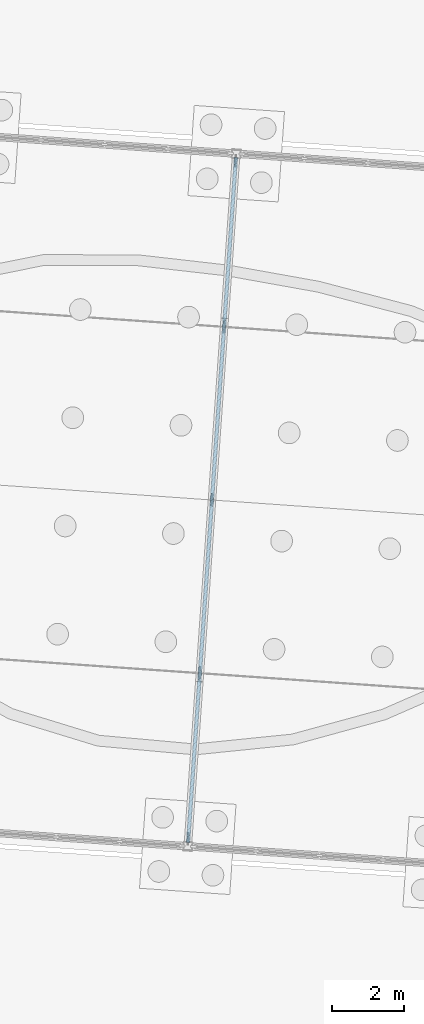
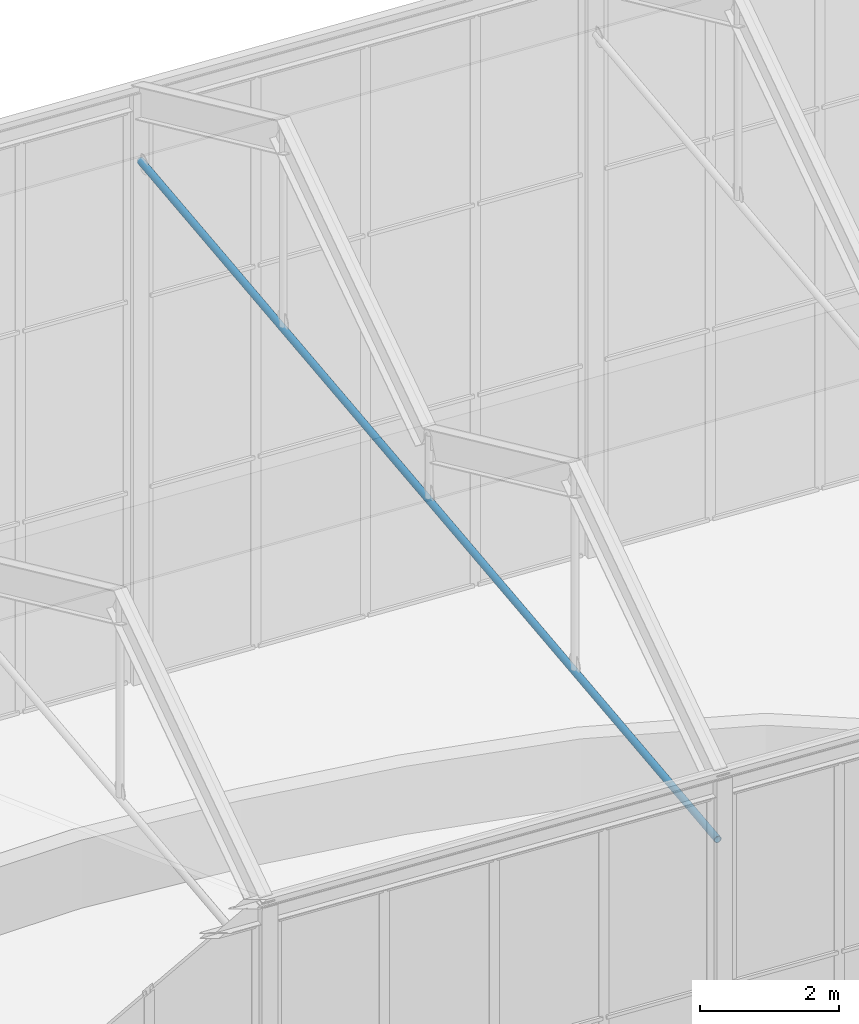
# One storey, part 44 of 157: 1 member.
"""IFC4 building model written with IfcOpenShell, lengths in metres."""

from ifc_helpers import new_model, si_unit, direction, frame, origin, origin_2d, place, context, subcontext, project, spatial, hollow_circle, extrude, material, material_profile, profile_set, type_object, element, save


model = new_model("IFC4")

# Units and contexts
model_context = context("Model", 3, precision=1e-05, world=origin(), true_north=direction((0.0, 1.0)))
body_context = subcontext(model_context, "Body", "Model", "MODEL_VIEW")
ifc_project = project(units=[si_unit("LENGTHUNIT", "METRE"), si_unit("AREAUNIT", "SQUARE_METRE"), si_unit("VOLUMEUNIT", "CUBIC_METRE"), si_unit("PLANEANGLEUNIT", "RADIAN"), si_unit("MASSUNIT", "GRAM", prefix="KILO")], contexts=[model_context])

# Site, building, storey
site_placement = place(None, origin())
site = spatial("IfcSite", under=ifc_project, at=site_placement, CompositionType="ELEMENT")
building_placement = place(site_placement, origin())
building = spatial("IfcBuilding", under=site, at=building_placement, Name="Windward Yard Aquatics Centre", CompositionType="ELEMENT")
storey_placement = place(building_placement, origin())
storey = spatial("IfcBuildingStorey", under=building, at=storey_placement, Name="L00", CompositionType="ELEMENT", Elevation=0.0)

# Member
ifc_material = material(Name="Steel S355", Category="steel")
ifc_material_profile = material_profile(ifc_material, hollow_circle(Radius=0.05712890625, WallThickness=0.006103515625, at=origin_2d()), Name="CHS114x6")
ifc_profile_set = profile_set([ifc_material_profile], Name="Steel S355")
member_type = type_object("IfcMemberType", Name="W CHS114x6 strut", PredefinedType="STRUT", material=ifc_profile_set)
member_placement = place(storey_placement, frame((86.422607421875, 118.464599609375, 9.199951171875), z_axis=(0.06974754686, 0.997564674448, 0.0), x_axis=(-0.997564674448, 0.06974754686, 0.0)))
element("IfcMember", 1, at=member_placement, inside=storey, type_object=member_type, Name="W.TIE.3", PredefinedType="STRUT", context=body_context, shape_type="SweptSolid", body=[
    extrude(hollow_circle(Radius=0.05712890625, WallThickness=0.006103515625, at=origin_2d()), origin(), (0.0, 0.0, 1.0), 19.0),
])

save(model, "model.ifc")
